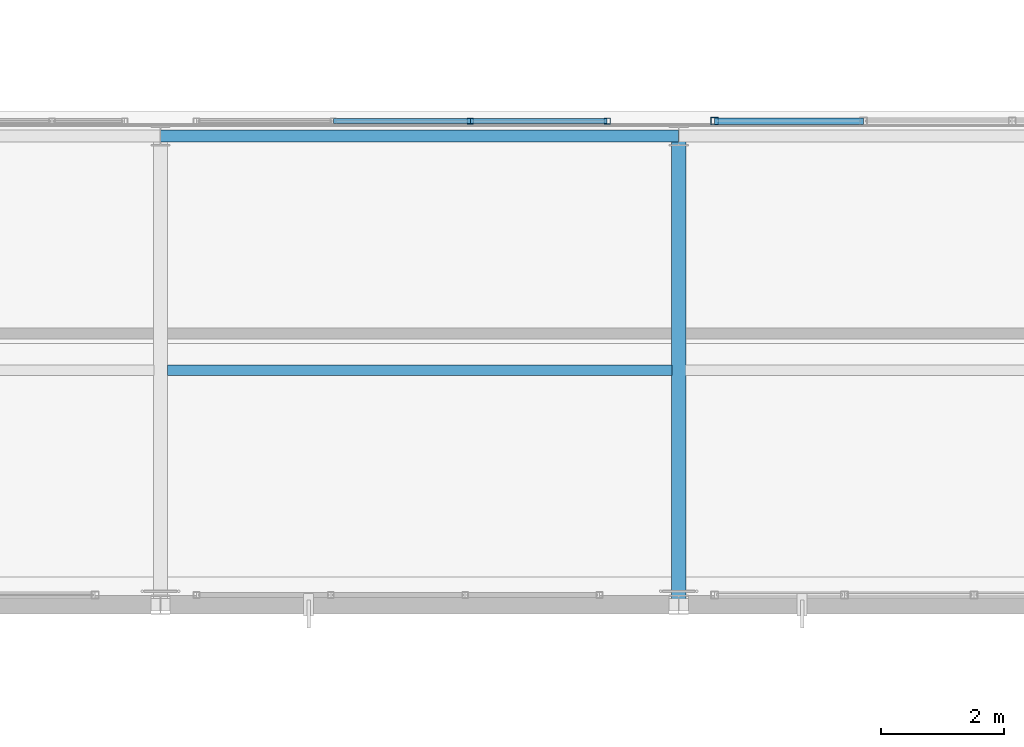
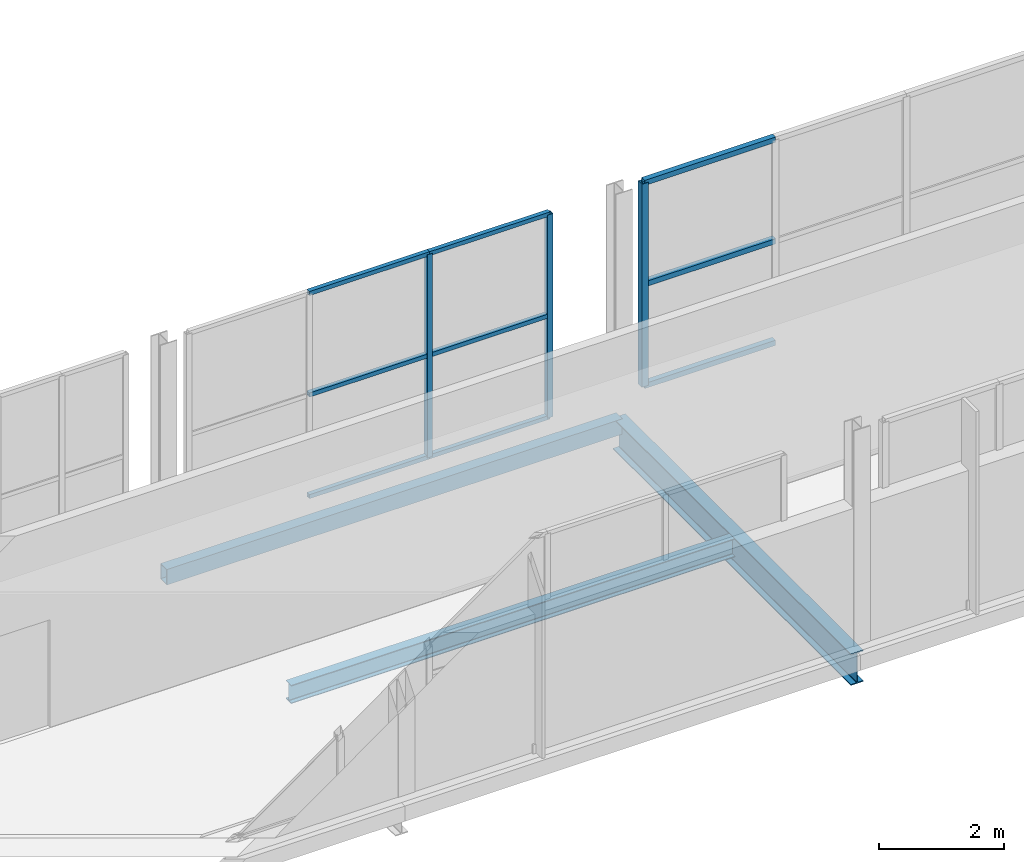
# One storey, part 50 of 151: 12 members, 3 beams, 2 elements without a shape of their own.
"""IFC4 building model written with IfcOpenShell, lengths in metres."""

from ifc_helpers import new_model, si_unit, direction, frame, origin, origin_2d, place, context, subcontext, project, spatial, hollow_rectangle, i_section, extrude, material, material_profile, profile_set, type_object, element, aggregate, save


model = new_model("IFC4")

# Units and contexts
model_context = context("Model", 3, precision=1e-05, world=origin(), true_north=direction((0.0, 1.0)))
body_context = subcontext(model_context, "Body", "Model", "MODEL_VIEW")
ifc_project = project(units=[si_unit("LENGTHUNIT", "METRE"), si_unit("AREAUNIT", "SQUARE_METRE"), si_unit("VOLUMEUNIT", "CUBIC_METRE"), si_unit("PLANEANGLEUNIT", "RADIAN"), si_unit("MASSUNIT", "GRAM", prefix="KILO")], contexts=[model_context])

# Site, building, storey
site_placement = place(None, origin())
site = spatial("IfcSite", under=ifc_project, at=site_placement, CompositionType="ELEMENT")
building_placement = place(site_placement, origin())
building = spatial("IfcBuilding", under=site, at=building_placement, Name="Zuvorla Pavilion Media Centre", CompositionType="ELEMENT")
storey_placement = place(building_placement, frame((0.0, 0.0, 13.800048828125)))
storey = spatial("IfcBuildingStorey", under=building, at=storey_placement, Name="L03", CompositionType="ELEMENT", Elevation=13.800048828125)

# Beams
ifc_material_1 = material(Name="Steel S355", Category="steel")
ifc_material_profile_1 = material_profile(ifc_material_1, hollow_rectangle(XDim=0.199951171875, YDim=0.300048828125, WallThickness=0.012451171875, at=origin_2d()), Name="RHS 300x200x12.5")
ifc_profile_set_1 = profile_set([ifc_material_profile_1], Name="Steel S355")
beam_type_1 = type_object("IfcBeamType", Name="BM-SP-RHS300", PredefinedType="SPANDREL", material=ifc_profile_set_1)
beam_1_placement = place(storey_placement, frame((125.60009765625, 51.60009765625, -0.407958984375), z_axis=(1.0, 0.0, 0.0), x_axis=(0.0, 1.0, 0.0)))
element("IfcBeam", 1, at=beam_1_placement, inside=storey, type_object=beam_type_1, Name="L03 spandrel SP01 1104", PredefinedType="SPANDREL", context=body_context, shape_type="SweptSolid", body=[
    extrude(hollow_rectangle(XDim=0.199951171875, YDim=0.300048828125, WallThickness=0.012451171875, at=origin_2d()), origin(), (0.0, 0.0, 1.0), 8.39990234375),
])
ifc_material_profile_2 = material_profile(ifc_material_1, i_section(OverallWidth=0.172119140625, OverallDepth=0.35791015625, WebThickness=0.008056640625, FlangeThickness=0.012939453125, FilletRadius=0.01025390625, at=origin_2d()), Name="UB 356x171x57")
ifc_profile_set_2 = profile_set([ifc_material_profile_2], Name="Steel S355")
beam_type_2 = type_object("IfcBeamType", Name="BM-UB356", PredefinedType="JOIST", material=ifc_profile_set_2)
beam_2_placement = place(storey_placement, frame((125.70947265625, 47.800048828125, -0.43701171875), z_axis=(1.0, 0.0, 0.0), x_axis=(0.0, 1.0, 0.0)))
element("IfcBeam", 2, at=beam_2_placement, inside=storey, type_object=beam_type_2, Name="L03 joist J03 1281", PredefinedType="JOIST", context=body_context, shape_type="SweptSolid", body=[
    extrude(i_section(OverallWidth=0.172119140625, OverallDepth=0.35791015625, WebThickness=0.008056640625, FlangeThickness=0.012939453125, FilletRadius=0.01025390625, at=origin_2d()), origin(), (0.0, 0.0, 1.0), 8.180908203125),
])
ifc_material_profile_3 = material_profile(ifc_material_1, i_section(OverallWidth=0.22900390625, OverallDepth=0.6123046875, WebThickness=0.011962890625, FlangeThickness=0.01953125, FilletRadius=0.0126953125, at=origin_2d()), Name="UB 610x229x125")
ifc_profile_set_3 = profile_set([ifc_material_profile_3], Name="Steel S355")
beam_type_3 = type_object("IfcBeamType", Name="BM-UB610", PredefinedType="BEAM", material=ifc_profile_set_3)
beam_3_placement = place(storey_placement, frame((134.0, 44.0, -0.564208984375), z_axis=(0.0, 1.0, 0.0), x_axis=(-1.0, 0.0, 0.0)))
element("IfcBeam", 3, at=beam_3_placement, inside=storey, type_object=beam_type_3, Name="L03 beam B07 1216", PredefinedType="BEAM", context=body_context, shape_type="SweptSolid", body=[
    extrude(i_section(OverallWidth=0.22900390625, OverallDepth=0.6123046875, WebThickness=0.011962890625, FlangeThickness=0.01953125, FilletRadius=0.0126953125, at=origin_2d()), origin(), (0.0, 0.0, 1.0), 7.60009765625),
])

# Curtain wall, members
ifc_material_2 = material(Name="Unitised anodised aluminium and solar glass curtain wall", Category="aluminium")
curtain_wall_type_1 = type_object("IfcCurtainWallType", Name="CW-SYS-54", PredefinedType="USERDEFINED", material=ifc_material_2)
curtain_wall_1_placement = place(storey_placement, origin())
curtain_wall_1 = element("IfcCurtainWall", 4, at=curtain_wall_1_placement, inside=storey, type_object=curtain_wall_type_1, Name="L03 curtain wall CW54 179", ObjectType="CURTAIN WALL", PredefinedType="USERDEFINED")
ifc_material_3 = material(Name="Anodised aluminium 6063-T6", Category="aluminium")
ifc_material_profile_4 = material_profile(ifc_material_3, hollow_rectangle(XDim=0.10009765625, YDim=0.10009765625, WallThickness=0.00439453125, at=origin_2d()), Name="ALU MULL 100x100")
ifc_profile_set_4 = profile_set([ifc_material_profile_4], Name="Anodised aluminium 6063-T6")
member_type_1 = type_object("IfcMemberType", Name="CW-MULL-100", PredefinedType="MULLION", material=ifc_profile_set_4)
member_1_placement = place(storey_placement, frame((130.62060546875, 51.840087890625, 0.0), z_axis=(0.0, 0.0, 1.0), x_axis=(1.0, 0.0, 0.0)))
member_1 = element("IfcMember", 5, at=member_1_placement, type_object=member_type_1, Name="CW54 mullion 3", PredefinedType="MULLION", context=body_context, shape_type="SweptSolid", body=[
    extrude(hollow_rectangle(XDim=0.10009765625, YDim=0.10009765625, WallThickness=0.00439453125, at=origin_2d()), origin(), (0.0, 0.0, 1.0), 3.9599609375),
])
member_2_placement = place(storey_placement, frame((132.840087890625, 51.840087890625, 0.0), z_axis=(0.0, 0.0, 1.0), x_axis=(1.0, 0.0, 0.0)))
member_2 = element("IfcMember", 6, at=member_2_placement, type_object=member_type_1, Name="CW54 mullion 4", PredefinedType="MULLION", context=body_context, shape_type="SweptSolid", body=[
    extrude(hollow_rectangle(XDim=0.10009765625, YDim=0.10009765625, WallThickness=0.00439453125, at=origin_2d()), origin(), (0.0, 0.0, 1.0), 3.9599609375),
])

curtain_wall_type_2 = type_object("IfcCurtainWallType", Name="CW-SYS-84", PredefinedType="USERDEFINED", material=ifc_material_2)
curtain_wall_2_placement = place(storey_placement, origin())
curtain_wall_2 = element("IfcCurtainWall", 7, at=curtain_wall_2_placement, inside=storey, type_object=curtain_wall_type_2, Name="L03 curtain wall CW84 181", ObjectType="CURTAIN WALL", PredefinedType="USERDEFINED")
ifc_material_profile_5 = material_profile(ifc_material_3, hollow_rectangle(XDim=0.1201171875, YDim=0.1201171875, WallThickness=0.0048828125, at=origin_2d()), Name="ALU MULL 120x120")
ifc_profile_set_5 = profile_set([ifc_material_profile_5], Name="Anodised aluminium 6063-T6")
member_type_2 = type_object("IfcMemberType", Name="CW-MULL-120", PredefinedType="MULLION", material=ifc_profile_set_5)
member_3_placement = place(storey_placement, frame((134.581787109375, 51.840087890625, 0.0), z_axis=(0.0, 0.0, 1.0), x_axis=(1.0, 0.0, 0.0)))
member_3 = element("IfcMember", 8, at=member_3_placement, type_object=member_type_2, Name="CW84 mullion 1", PredefinedType="MULLION", context=body_context, shape_type="SweptSolid", body=[
    extrude(hollow_rectangle(XDim=0.1201171875, YDim=0.1201171875, WallThickness=0.0048828125, at=origin_2d()), origin(), (0.0, 0.0, 1.0), 3.9599609375),
])
ifc_material_profile_6 = material_profile(ifc_material_3, hollow_rectangle(XDim=0.10009765625, YDim=0.10009765625, WallThickness=0.00439453125, at=origin_2d()), Name="ALU TRAN 100x100")
ifc_profile_set_6 = profile_set([ifc_material_profile_6], Name="Anodised aluminium 6063-T6")
member_type_3 = type_object("IfcMemberType", Name="CW-TRAN-100", PredefinedType="USERDEFINED", material=ifc_profile_set_6)
member_4_placement = place(storey_placement, frame((134.581787109375, 51.840087890625, 0.0), z_axis=(1.0, 0.0, 0.0), x_axis=(0.0, 1.0, 0.0)))
member_4 = element("IfcMember", 9, at=member_4_placement, type_object=member_type_3, Name="CW84 transom 1.1", ObjectType="TRANSOM", PredefinedType="USERDEFINED", context=body_context, shape_type="SweptSolid", body=[
    extrude(hollow_rectangle(XDim=0.10009765625, YDim=0.10009765625, WallThickness=0.00439453125, at=origin_2d()), origin(), (0.0, 0.0, 1.0), 2.412109375),
])
member_5_placement = place(storey_placement, frame((134.581787109375, 51.840087890625, 1.97998046875), z_axis=(1.0, 0.0, 0.0), x_axis=(0.0, 1.0, 0.0)))
member_5 = element("IfcMember", 10, at=member_5_placement, type_object=member_type_3, Name="CW84 transom 1.2", ObjectType="TRANSOM", PredefinedType="USERDEFINED", context=body_context, shape_type="SweptSolid", body=[
    extrude(hollow_rectangle(XDim=0.10009765625, YDim=0.10009765625, WallThickness=0.00439453125, at=origin_2d()), origin(), (0.0, 0.0, 1.0), 2.412109375),
])
member_6_placement = place(storey_placement, frame((134.581787109375, 51.840087890625, 3.9599609375), z_axis=(1.0, 0.0, 0.0), x_axis=(0.0, 1.0, 0.0)))
member_6 = element("IfcMember", 11, at=member_6_placement, type_object=member_type_3, Name="CW84 transom 1.3", ObjectType="TRANSOM", PredefinedType="USERDEFINED", context=body_context, shape_type="SweptSolid", body=[
    extrude(hollow_rectangle(XDim=0.10009765625, YDim=0.10009765625, WallThickness=0.00439453125, at=origin_2d()), origin(), (0.0, 0.0, 1.0), 2.412109375),
])
aggregate(curtain_wall_2, [member_3, member_4, member_5, member_6])

# Member
ifc_material_profile_7 = material_profile(ifc_material_3, hollow_rectangle(XDim=0.080078125, YDim=0.080078125, WallThickness=0.00390625, at=origin_2d()), Name="ALU TRAN 80x80")
ifc_profile_set_7 = profile_set([ifc_material_profile_7], Name="Anodised aluminium 6063-T6")
member_type_4 = type_object("IfcMemberType", Name="CW-TRAN-80", PredefinedType="USERDEFINED", material=ifc_profile_set_7)
member_7_placement = place(storey_placement, frame((128.4013671875, 51.840087890625, 0.0), z_axis=(1.0, 0.0, 0.0), x_axis=(0.0, 1.0, 0.0)))
member_7 = element("IfcMember", 12, at=member_7_placement, type_object=member_type_4, Name="CW54 transom 2.1", ObjectType="TRANSOM", PredefinedType="USERDEFINED", context=body_context, shape_type="SweptSolid", body=[
    extrude(hollow_rectangle(XDim=0.080078125, YDim=0.080078125, WallThickness=0.00390625, at=origin_2d()), origin(), (0.0, 0.0, 1.0), 2.21923828125),
])

member_8_placement = place(storey_placement, frame((128.4013671875, 51.840087890625, 1.97998046875), z_axis=(1.0, 0.0, 0.0), x_axis=(0.0, 1.0, 0.0)))
member_8 = element("IfcMember", 13, at=member_8_placement, type_object=member_type_4, Name="CW54 transom 2.2", ObjectType="TRANSOM", PredefinedType="USERDEFINED", context=body_context, shape_type="SweptSolid", body=[
    extrude(hollow_rectangle(XDim=0.080078125, YDim=0.080078125, WallThickness=0.00390625, at=origin_2d()), origin(), (0.0, 0.0, 1.0), 2.21923828125),
])

member_9_placement = place(storey_placement, frame((128.4013671875, 51.840087890625, 3.9599609375), z_axis=(1.0, 0.0, 0.0), x_axis=(0.0, 1.0, 0.0)))
member_9 = element("IfcMember", 14, at=member_9_placement, type_object=member_type_4, Name="CW54 transom 2.3", ObjectType="TRANSOM", PredefinedType="USERDEFINED", context=body_context, shape_type="SweptSolid", body=[
    extrude(hollow_rectangle(XDim=0.080078125, YDim=0.080078125, WallThickness=0.00390625, at=origin_2d()), origin(), (0.0, 0.0, 1.0), 2.21923828125),
])

member_10_placement = place(storey_placement, frame((130.62060546875, 51.840087890625, 0.0), z_axis=(1.0, 0.0, 0.0), x_axis=(0.0, 1.0, 0.0)))
member_10 = element("IfcMember", 15, at=member_10_placement, type_object=member_type_4, Name="CW54 transom 3.1", ObjectType="TRANSOM", PredefinedType="USERDEFINED", context=body_context, shape_type="SweptSolid", body=[
    extrude(hollow_rectangle(XDim=0.080078125, YDim=0.080078125, WallThickness=0.00390625, at=origin_2d()), origin(), (0.0, 0.0, 1.0), 2.219482421875),
])

member_11_placement = place(storey_placement, frame((130.62060546875, 51.840087890625, 1.97998046875), z_axis=(1.0, 0.0, 0.0), x_axis=(0.0, 1.0, 0.0)))
member_11 = element("IfcMember", 16, at=member_11_placement, type_object=member_type_4, Name="CW54 transom 3.2", ObjectType="TRANSOM", PredefinedType="USERDEFINED", context=body_context, shape_type="SweptSolid", body=[
    extrude(hollow_rectangle(XDim=0.080078125, YDim=0.080078125, WallThickness=0.00390625, at=origin_2d()), origin(), (0.0, 0.0, 1.0), 2.219482421875),
])

member_12_placement = place(storey_placement, frame((130.62060546875, 51.840087890625, 3.9599609375), z_axis=(1.0, 0.0, 0.0), x_axis=(0.0, 1.0, 0.0)))
member_12 = element("IfcMember", 17, at=member_12_placement, type_object=member_type_4, Name="CW54 transom 3.3", ObjectType="TRANSOM", PredefinedType="USERDEFINED", context=body_context, shape_type="SweptSolid", body=[
    extrude(hollow_rectangle(XDim=0.080078125, YDim=0.080078125, WallThickness=0.00390625, at=origin_2d()), origin(), (0.0, 0.0, 1.0), 2.219482421875),
])

aggregate(curtain_wall_1, [member_1, member_2, member_7, member_8, member_9, member_10, member_11, member_12])

save(model, "model.ifc")
